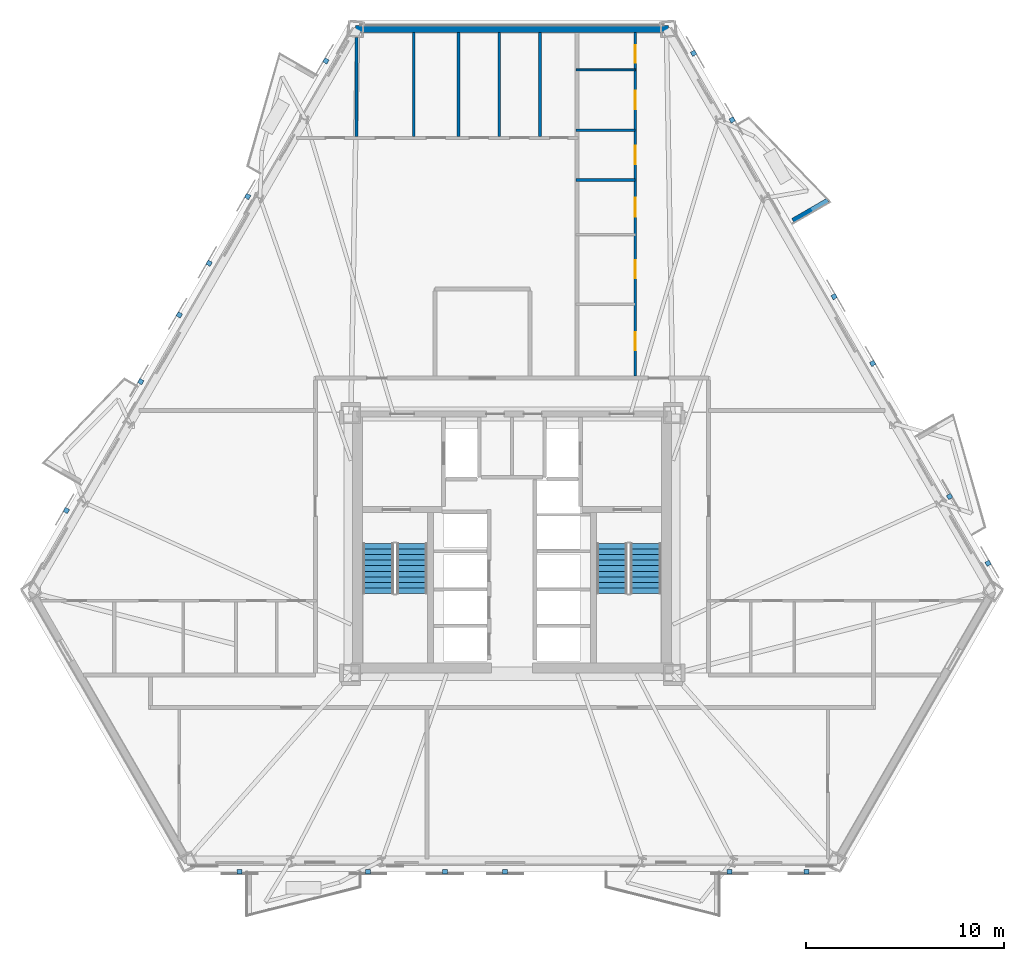
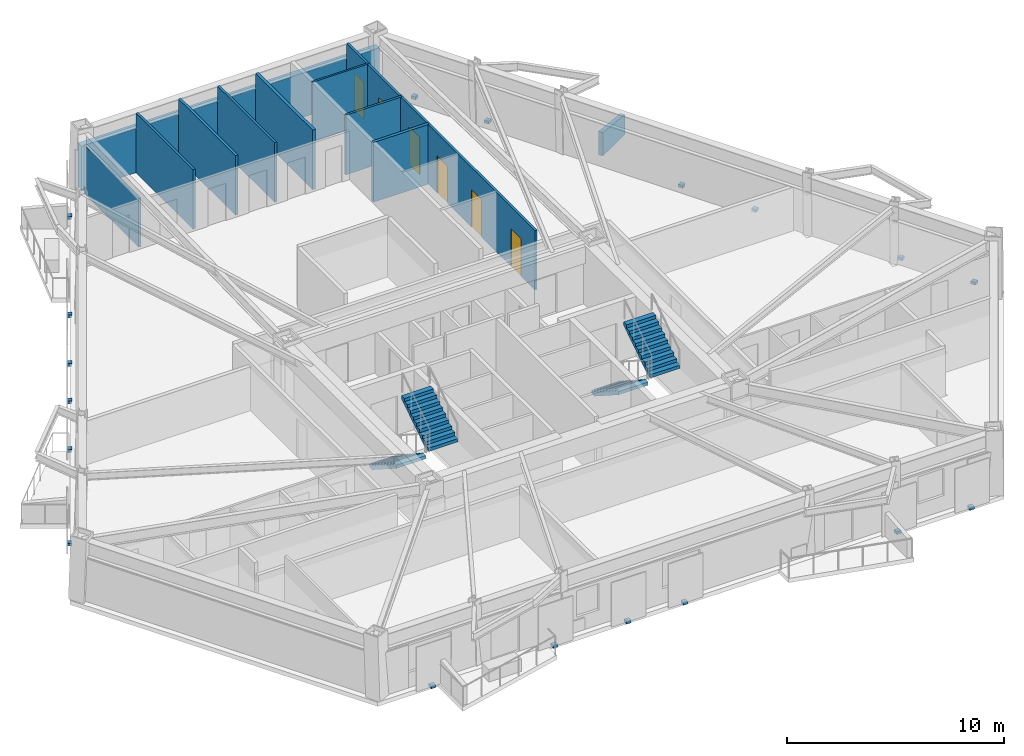
# One storey, part 6 of 12: 18 discrete accessories, 11 walls, 6 doors, 4 stair flights, 6 openings, 2 elements without a shape of their own.
"""IFC4 building model written with IfcOpenShell, lengths in metres."""

import ifcopenshell
import ifcopenshell.guid

model = None  # the IFC model being written
_history = None  # IfcOwnerHistory: only IFC2X3 demands one
_inside = {}  # id of a spatial element -> (the spatial element, [elements in it])
_under = {}  # id of a project, library or spatial element -> (it, [spatial elements below it])
_declared = {}  # id of a project -> (the project, [libraries it declares])
_typed = {}  # id of a type object -> (the type object, [elements of that type])
_made_of = {}  # id of a material, layer set ... -> (it, [elements and type objects made of it])


def new_model(schema):
    """Start an empty IFC model of exactly this schema.

    Asked for "IFC4X3", IfcOpenShell would pick the latest addendum, in which some entities
    have other attributes; the version numbers below select the first issue.
    IFC2X3 requires an IfcOwnerHistory on every rooted entity: one is made here for all.
    """
    global model, _history
    if schema == "IFC4X3":
        model = ifcopenshell.file(schema_version=(4, 3, 0, 0))
    else:
        model = ifcopenshell.file(schema=schema)
    _inside.clear()
    _under.clear()
    _declared.clear()
    _typed.clear()
    _made_of.clear()
    _history = None
    if model.schema == "IFC2X3":
        org = make("IfcOrganization", Name="unknown")
        user = make(
            "IfcPersonAndOrganization",
            ThePerson=make("IfcPerson", FamilyName="unknown"),
            TheOrganization=org,
        )
        app = make(
            "IfcApplication",
            ApplicationDeveloper=org,
            Version="unknown",
            ApplicationFullName="unknown",
            ApplicationIdentifier="unknown",
        )
        _history = make(
            "IfcOwnerHistory",
            OwningUser=user,
            OwningApplication=app,
            ChangeAction="ADDED",
            CreationDate=0,
        )
    return model


def make(cls, **values):
    """One entity of the class cls with the attributes given. An attribute that is None is left unset."""
    return model.create_entity(
        cls, **{name: value for name, value in values.items() if value is not None}
    )


def rooted(cls, **values):
    """An entity with a GlobalId (a new one), such as an element, a storey or a relation."""
    return make(cls, GlobalId=ifcopenshell.guid.new(), OwnerHistory=_history, **values)


def si_unit(unit_type, name, prefix=None):
    """IfcSIUnit, for example si_unit("LENGTHUNIT", "METRE", prefix="MILLI")."""
    return make("IfcSIUnit", UnitType=unit_type, Prefix=prefix, Name=name)


def assignment(units):
    """IfcUnitAssignment: the units of a project."""
    return None if units is None else make("IfcUnitAssignment", Units=units)


def point(xyz):
    """IfcCartesianPoint."""
    return None if xyz is None else make("IfcCartesianPoint", Coordinates=xyz)


def direction(xyz):
    """IfcDirection."""
    return None if xyz is None else make("IfcDirection", DirectionRatios=xyz)


def frame(location, z_axis=None, x_axis=None):
    """IfcAxis2Placement3D, a coordinate frame: its origin and axes. An axis left out is left unset."""
    return make(
        "IfcAxis2Placement3D",
        Location=point(location),
        Axis=direction(z_axis),
        RefDirection=direction(x_axis),
    )


def frame_2d(location, x_axis=None):
    """IfcAxis2Placement2D, a coordinate frame in the plane: its origin and x axis."""
    return make(
        "IfcAxis2Placement2D", Location=point(location), RefDirection=direction(x_axis)
    )


def origin():
    """The frame at (0, 0, 0) with its axes left unset."""
    return frame((0.0, 0.0, 0.0))


def origin_2d():
    """The frame at (0, 0) in the plane with its x axis left unset."""
    return frame_2d((0.0, 0.0))


def place(relative_to, where):
    """IfcLocalPlacement: puts the frame where relative to a parent placement (None: the world)."""
    return make(
        "IfcLocalPlacement", PlacementRelTo=relative_to, RelativePlacement=where
    )


def context(
    kind, dimensions, precision=None, world=None, true_north=None, identifier=None
):
    """IfcGeometricRepresentationContext, for example the 3D "Model" context."""
    return make(
        "IfcGeometricRepresentationContext",
        ContextIdentifier=identifier,
        ContextType=kind,
        CoordinateSpaceDimension=dimensions,
        Precision=precision,
        WorldCoordinateSystem=world,
        TrueNorth=true_north,
    )


def subcontext(parent, identifier, kind, view, scale=None):
    """IfcGeometricRepresentationSubContext, for example "Body" below "Model"."""
    return make(
        "IfcGeometricRepresentationSubContext",
        ContextIdentifier=identifier,
        ContextType=kind,
        ParentContext=parent,
        TargetScale=scale,
        TargetView=view,
    )


def project(units=None, contexts=None):
    """IfcProject with its units and contexts."""
    return rooted(
        "IfcProject",
        Name="project",
        RepresentationContexts=contexts,
        UnitsInContext=assignment(units),
    )


def spatial(cls, under=None, at=None, **own):
    """A site, building, storey or space (cls), placed at a placement, below another one or the project."""
    s = rooted(cls, ObjectPlacement=at, **own)
    if under is not None:
        _under.setdefault(under.id(), (under, []))[1].append(s)
    return s


def polyline(points):
    """IfcPolyline through the points."""
    return make("IfcPolyline", Points=[point(p) for p in points])


def profile(cls, at=None, kind="AREA", **sizes):
    """A parametric profile (cls). Its sizes go by their IFC names, for example OverallWidth=200.0."""
    return make(cls, ProfileType=kind, Position=at, **sizes)


def rectangle(**sizes):
    """IfcRectangleProfileDef."""
    return profile("IfcRectangleProfileDef", **sizes)


def outline(outer, holes=None, kind="AREA"):
    """IfcArbitraryClosedProfileDef: a profile drawn as a closed curve; with holes, ...WithVoids."""
    if holes is None:
        return make("IfcArbitraryClosedProfileDef", ProfileType=kind, OuterCurve=outer)
    return make(
        "IfcArbitraryProfileDefWithVoids",
        ProfileType=kind,
        OuterCurve=outer,
        InnerCurves=holes,
    )


def extrude(swept, where, along, depth):
    """IfcExtrudedAreaSolid: the profile swept, set in the frame where, extruded along a direction by depth."""
    return make(
        "IfcExtrudedAreaSolid",
        SweptArea=swept,
        Position=where,
        ExtrudedDirection=direction(along),
        Depth=depth,
    )


def shape(context_of_items, identifier, shape_type, items):
    """IfcShapeRepresentation: the items that make up one representation, for example the "Body"."""
    return make(
        "IfcShapeRepresentation",
        ContextOfItems=context_of_items,
        RepresentationIdentifier=identifier,
        RepresentationType=shape_type,
        Items=items,
    )


def material(Name=None, Category=None):
    """IfcMaterial."""
    return make("IfcMaterial", Name=Name, Category=Category)


def layer(
    of_material, thickness, ventilated=None, Name=None, Category=None, Priority=None
):
    """IfcMaterialLayer: one layer of a wall or slab, of a material (None: an air gap)."""
    return make(
        "IfcMaterialLayer",
        Material=of_material,
        LayerThickness=thickness,
        IsVentilated=ventilated,
        Name=Name,
        Category=Category,
        Priority=Priority,
    )


def layer_set(layers, Name=None):
    """IfcMaterialLayerSet."""
    return make("IfcMaterialLayerSet", MaterialLayers=layers, LayerSetName=Name)


def made_of(thing, what):
    """Note that an element or type object is made of a material, layer set ...; save() writes the relation."""
    if what is not None:
        _made_of.setdefault(what.id(), (what, []))[1].append(thing)
    return thing


def type_object(cls, material=None, **own):
    """A type object (cls), such as IfcWallType, which elements share."""
    return made_of(rooted(cls, **own), material)


def element(
    cls,
    number,
    at=None,
    inside=None,
    cuts=None,
    type_object=None,
    material=None,
    context=None,
    identifier="Body",
    shape_type=None,
    held_by="IfcProductDefinitionShape",
    body=None,
    shapes=None,
    **own,
):
    """One element of the class cls, such as IfcWall. Its Tag is "e" and its number.

    at: its placement. inside: the storey or other place that contains it. cuts: it is an
    opening in that element (IfcRelVoidsElement). A single representation is given by context,
    identifier, shape_type and body (its items); several are given by shapes. held_by: the class
    of the entity that holds the representations. save() writes the other relations.
    """
    e = rooted(cls, Tag="e%d" % number, ObjectPlacement=at, **own)
    if body is not None:
        shapes = [shape(context, identifier, shape_type, body)]
    if shapes is not None:
        e.Representation = make(held_by, Representations=shapes)
    if inside is not None:
        _inside.setdefault(inside.id(), (inside, []))[1].append(e)
    if cuts is not None:
        rooted(
            "IfcRelVoidsElement", RelatingBuildingElement=cuts, RelatedOpeningElement=e
        )
    if type_object is not None:
        _typed.setdefault(type_object.id(), (type_object, []))[1].append(e)
    return made_of(e, material)


def fill(opening, filler):
    """IfcRelFillsElement: the door or window that sits in an opening."""
    return rooted(
        "IfcRelFillsElement",
        RelatingOpeningElement=opening,
        RelatedBuildingElement=filler,
    )


def aggregate(whole, parts):
    """IfcRelAggregates: a whole, such as a stair, and the parts it consists of."""
    return rooted("IfcRelAggregates", RelatingObject=whole, RelatedObjects=parts)


def save(model, path):
    """Write the relations noted so far, then the file.

    IfcRelAggregates (storeys below a building ...), IfcRelContainedInSpatialStructure (elements
    in a storey), IfcRelDefinesByType, IfcRelAssociatesMaterial and IfcRelDeclares: one each for
    every whole, place, type object, material and project.
    """
    for whole, parts in _under.values():
        aggregate(whole, parts)
    for where, things in _inside.values():
        rooted(
            "IfcRelContainedInSpatialStructure",
            RelatedElements=things,
            RelatingStructure=where,
        )
    for kind, things in _typed.values():
        rooted("IfcRelDefinesByType", RelatedObjects=things, RelatingType=kind)
    for what, things in _made_of.values():
        rooted("IfcRelAssociatesMaterial", RelatedObjects=things, RelatingMaterial=what)
    for by, libraries in _declared.values():
        rooted("IfcRelDeclares", RelatingContext=by, RelatedDefinitions=libraries)
    model.write(path)


model = new_model("IFC4")

# Units and contexts
model_context = context("Model", 3, precision=1e-05, world=origin(), true_north=direction((0.0, 1.0)))
body_context = subcontext(model_context, "Body", "Model", "MODEL_VIEW")
ifc_project = project(units=[si_unit("LENGTHUNIT", "METRE"), si_unit("AREAUNIT", "SQUARE_METRE"), si_unit("VOLUMEUNIT", "CUBIC_METRE"), si_unit("PLANEANGLEUNIT", "RADIAN"), si_unit("MASSUNIT", "GRAM", prefix="KILO")], contexts=[model_context])

# Site, building, storey
site_placement = place(None, origin())
site = spatial("IfcSite", under=ifc_project, at=site_placement, CompositionType="ELEMENT")
building_placement = place(site_placement, origin())
building = spatial("IfcBuilding", under=site, at=building_placement, Name="Oramaril Tower", CompositionType="ELEMENT")
storey_placement = place(building_placement, frame((0.0, 0.0, 30.89990234375)))
storey = spatial("IfcBuildingStorey", under=building, at=storey_placement, Name="L07", CompositionType="ELEMENT", Elevation=30.89990234375)

# Walls
ifc_material_1 = material(Name="Warm Cream Limestone", Category="masonry")
ifc_layer_1 = layer(ifc_material_1, 0.340087890625)
ifc_layer_set_1 = layer_set([ifc_layer_1], Name="WT-EXT34")
wall_type_1 = type_object("IfcWallType", Name="WT-EXT34", PredefinedType="SOLIDWALL", material=ifc_layer_set_1)
wall_1_placement = place(storey_placement, frame((45.431640625, 43.630615234375, 0.0), z_axis=(0.0, 0.0, 1.0), x_axis=(-1.0, 0.0, 0.0)))
element("IfcWall", 1, at=wall_1_placement, inside=storey, type_object=wall_type_1, Name="L07 Tower Limestone Facade Wall 5M", PredefinedType="SOLIDWALL", context=body_context, shape_type="SweptSolid", body=[
    extrude(rectangle(XDim=15.86328125, YDim=0.340087890625, at=frame_2d((7.931640625, 0.0))), origin(), (0.0, 0.0, 1.0), 2.494140625),
])
ifc_material_2 = material(Name="Concrete C40/50", Category="concrete")
ifc_layer_2 = layer(ifc_material_2, 0.22998046875)
ifc_layer_set_2 = layer_set([ifc_layer_2], Name="WT-PRP23")
wall_type_2 = type_object("IfcWallType", Name="WT-PRP23", PredefinedType="PARAPET", material=ifc_layer_set_2)
wall_2_placement = place(storey_placement, frame((51.714111328125, 33.94482421875, 0.0), z_axis=(0.0, 0.0, 1.0), x_axis=(0.866042246008, 0.499970827278, 0.0)))
element("IfcWall", 2, at=wall_2_placement, inside=storey, type_object=wall_type_2, Name="L07 Trapezoidal Balcony Frame Cheek L07-BAL-NE2-L", PredefinedType="PARAPET", context=body_context, shape_type="SweptSolid", body=[
    extrude(outline(polyline([(0.0, 0.0), (2.0419921875, 0.0), (2.0419921875, 1.10009765625), (0.0, 1.320068359375), (0.0, 0.0)])), frame((0.0, 0.114990234375, 0.0), z_axis=(0.0, -1.0, 0.0), x_axis=(1.0, 0.0, 0.0)), (0.0, 0.0, 1.0), 0.22998046875),
])
ifc_material_3 = material(Name="Acoustic Gypsum Board Partition")
ifc_layer_3 = layer(ifc_material_3, 0.10009765625)
ifc_layer_set_3 = layer_set([ifc_layer_3], Name="WT-PT10")
wall_type_3 = type_object("IfcWallType", Name="WT-PT10", PredefinedType="PARTITIONING", material=ifc_layer_set_3)
wall_3_placement = place(storey_placement, frame((40.75, 41.570068359375, 0.0), z_axis=(0.0, 0.0, 1.0), x_axis=(1.0, 0.0, 0.0)))
element("IfcWall", 3, at=wall_3_placement, inside=storey, type_object=wall_type_3, Name="L07 Interior Partition PT-10", PredefinedType="PARTITIONING", context=body_context, shape_type="SweptSolid", body=[
    extrude(rectangle(XDim=2.97998046875, YDim=0.10009765625, at=frame_2d((1.489990234375, 0.0))), origin(), (0.0, 0.0, 1.0), 3.360107421875),
])
ifc_material_4 = material(Name="Acoustic Gypsum Board Partition")
ifc_layer_4 = layer(ifc_material_4, 0.1201171875)
ifc_layer_set_4 = layer_set([ifc_layer_4], Name="WT-PT12")
wall_type_4 = type_object("IfcWallType", Name="WT-PT12", PredefinedType="PARTITIONING", material=ifc_layer_set_4)
wall_4_placement = place(storey_placement, frame((40.75, 38.52001953125, 0.0), z_axis=(0.0, 0.0, 1.0), x_axis=(1.0, 0.0, 0.0)))
element("IfcWall", 4, at=wall_4_placement, inside=storey, type_object=wall_type_4, Name="L07 Interior Partition PT-12", PredefinedType="PARTITIONING", context=body_context, shape_type="SweptSolid", body=[
    extrude(rectangle(XDim=2.97998046875, YDim=0.1201171875, at=frame_2d((1.489990234375, 0.0))), origin(), (0.0, 0.0, 1.0), 3.360107421875),
])
for number, where, z_axis, x_axis, name in (
    (5, (32.52001953125, 38.194091796875, 0.0), (0.0, 0.0, 1.0), (0.0, 1.0, 0.0), "L07 Interior Partition PT-12"),
    (6, (36.860107421875, 38.194091796875, 0.0), (0.0, 0.0, 1.0), (0.0, 1.0, 0.0), "L07 Interior Partition PT-12"),
):
    element("IfcWall", number, at=place(storey_placement, frame(where, z_axis=z_axis, x_axis=x_axis)), inside=storey, type_object=wall_type_4, Name=name, PredefinedType="PARTITIONING", context=body_context, shape_type="SweptSolid", body=[
        extrude(rectangle(XDim=5.262451171875, YDim=0.1201171875, at=frame_2d((2.63134765625, 0.0))), origin(), (0.0, 0.0, 1.0), 3.360107421875),
    ])

# Wall, openings, doors
wall_5_placement = place(storey_placement, frame((43.72998046875, 26.073974609375, 0.0), z_axis=(0.0, 0.0, 1.0), x_axis=(0.0, 1.0, 0.0)))
wall_5 = element("IfcWall", 7, at=wall_5_placement, inside=storey, type_object=wall_type_4, Name="L07 Interior Partition PT-12", PredefinedType="PARTITIONING", context=body_context, shape_type="SweptSolid", body=[
    extrude(rectangle(XDim=17.382568359375, YDim=0.1201171875, at=frame_2d((8.69140625, 0.0))), origin(), (0.0, 0.0, 1.0), 3.360107421875),
])
opening_1_placement = place(wall_5_placement, frame((1.292236328125, 0.0, 0.0)))
opening_1 = element("IfcOpeningElement", 8, at=opening_1_placement, cuts=wall_5, Name="Opening D-L07-23", PredefinedType="OPENING", context=body_context, shape_type="SweptSolid", body=[
    extrude(rectangle(XDim=0.919921875, YDim=2.1201171875, at=frame_2d((0.4599609375, 1.06005859375))), frame((0.0, 0.06005859375, 0.0), z_axis=(0.0, -1.0, 0.0), x_axis=(1.0, 0.0, 0.0)), (0.0, 0.0, 1.0), 0.1201171875),
])
opening_2_placement = place(wall_5_placement, frame((4.939208984375, 0.0, 0.0)))
opening_2 = element("IfcOpeningElement", 9, at=opening_2_placement, cuts=wall_5, Name="Opening D-L07-24", PredefinedType="OPENING", context=body_context, shape_type="SweptSolid", body=[
    extrude(rectangle(XDim=0.919921875, YDim=2.1201171875, at=frame_2d((0.4599609375, 1.06005859375))), frame((0.0, 0.06005859375, 0.0), z_axis=(0.0, -1.0, 0.0), x_axis=(1.0, 0.0, 0.0)), (0.0, 0.0, 1.0), 0.1201171875),
])
opening_3_placement = place(wall_5_placement, frame((8.068115234375, 0.0, 0.0)))
opening_3 = element("IfcOpeningElement", 10, at=opening_3_placement, cuts=wall_5, Name="Opening D-L07-25", PredefinedType="OPENING", context=body_context, shape_type="SweptSolid", body=[
    extrude(rectangle(XDim=0.949951171875, YDim=2.10009765625, at=frame_2d((0.47509765625, 1.050048828125))), frame((0.0, 0.06005859375, 0.0), z_axis=(0.0, -1.0, 0.0), x_axis=(1.0, 0.0, 0.0)), (0.0, 0.0, 1.0), 0.1201171875),
])
opening_4_placement = place(wall_5_placement, frame((10.708984375, 0.0, 0.0)))
opening_4 = element("IfcOpeningElement", 11, at=opening_4_placement, cuts=wall_5, Name="Opening D-L07-26", PredefinedType="OPENING", context=body_context, shape_type="SweptSolid", body=[
    extrude(rectangle(XDim=0.949951171875, YDim=2.10009765625, at=frame_2d((0.47509765625, 1.050048828125))), frame((0.0, 0.06005859375, 0.0), z_axis=(0.0, -1.0, 0.0), x_axis=(1.0, 0.0, 0.0)), (0.0, 0.0, 1.0), 0.1201171875),
])
opening_5_placement = place(wall_5_placement, frame((13.491455078125, 0.0, 0.0)))
opening_5 = element("IfcOpeningElement", 12, at=opening_5_placement, cuts=wall_5, Name="Opening D-L07-27", PredefinedType="OPENING", context=body_context, shape_type="SweptSolid", body=[
    extrude(rectangle(XDim=0.949951171875, YDim=2.10009765625, at=frame_2d((0.47509765625, 1.050048828125))), frame((0.0, 0.06005859375, 0.0), z_axis=(0.0, -1.0, 0.0), x_axis=(1.0, 0.0, 0.0)), (0.0, 0.0, 1.0), 0.1201171875),
])
opening_6_placement = place(wall_5_placement, frame((15.84765625, 0.0, 0.0)))
opening_6 = element("IfcOpeningElement", 13, at=opening_6_placement, cuts=wall_5, Name="Opening D-L07-28", PredefinedType="OPENING", context=body_context, shape_type="SweptSolid", body=[
    extrude(rectangle(XDim=0.8798828125, YDim=2.080078125, at=frame_2d((0.43994140625, 1.0400390625))), frame((0.0, 0.06005859375, 0.0), z_axis=(0.0, -1.0, 0.0), x_axis=(1.0, 0.0, 0.0)), (0.0, 0.0, 1.0), 0.1201171875),
])
ifc_material_5 = material(Name="FSC Brazilian Freijo Hardwood", Category="wood")
door_type_1 = type_object("IfcDoorType", Name="DT-BATH", OperationType="NOTDEFINED", PredefinedType="DOOR", material=ifc_material_5)
door_1_placement = place(opening_6_placement, origin())
door_1 = element("IfcDoor", 14, at=door_1_placement, inside=storey, type_object=door_type_1, Name="L07 Flat L07-U6 Bathroom Door D-L07-28", OperationType="SINGLE_SWING_RIGHT", OverallHeight=2.080078125, OverallWidth=0.8798828125, PredefinedType="DOOR", context=body_context, shape_type="SweptSolid", body=[
    extrude(rectangle(XDim=0.8798828125, YDim=2.080078125, at=frame_2d((0.43994140625, 1.0400390625))), frame((0.0, 0.02490234375, 0.0), z_axis=(0.0, -1.0, 0.0), x_axis=(1.0, 0.0, 0.0)), (0.0, 0.0, 1.0), 0.050048828125),
])
fill(opening_6, door_1)
ifc_material_6 = material(Name="FSC Brazilian Freijo Hardwood", Category="wood")
door_type_2 = type_object("IfcDoorType", Name="DT-BED", OperationType="NOTDEFINED", PredefinedType="DOOR", material=ifc_material_6)
door_2_placement = place(opening_1_placement, origin())
door_2 = element("IfcDoor", 15, at=door_2_placement, inside=storey, type_object=door_type_2, Name="L07 Flat L07-U6 Master Bedroom Door D-L07-23", OperationType="SINGLE_SWING_LEFT", OverallHeight=2.1201171875, OverallWidth=0.919921875, PredefinedType="DOOR", context=body_context, shape_type="SweptSolid", body=[
    extrude(rectangle(XDim=0.919921875, YDim=2.1201171875, at=frame_2d((0.4599609375, 1.06005859375))), frame((0.0, 0.02490234375, 0.0), z_axis=(0.0, -1.0, 0.0), x_axis=(1.0, 0.0, 0.0)), (0.0, 0.0, 1.0), 0.050048828125),
])
fill(opening_1, door_2)
door_3_placement = place(opening_2_placement, origin())
door_3 = element("IfcDoor", 16, at=door_3_placement, inside=storey, type_object=door_type_2, Name="L07 Flat L07-U6 Bedroom 2 Door D-L07-24", OperationType="SINGLE_SWING_RIGHT", OverallHeight=2.1201171875, OverallWidth=0.919921875, PredefinedType="DOOR", context=body_context, shape_type="SweptSolid", body=[
    extrude(rectangle(XDim=0.919921875, YDim=2.1201171875, at=frame_2d((0.4599609375, 1.06005859375))), frame((0.0, 0.02490234375, 0.0), z_axis=(0.0, -1.0, 0.0), x_axis=(1.0, 0.0, 0.0)), (0.0, 0.0, 1.0), 0.050048828125),
])
fill(opening_2, door_3)
ifc_material_7 = material(Name="FSC Brazilian Freijo Hardwood", Category="wood")
door_type_3 = type_object("IfcDoorType", Name="DT-STDY", OperationType="NOTDEFINED", PredefinedType="DOOR", material=ifc_material_7)
door_4_placement = place(opening_3_placement, origin())
door_4 = element("IfcDoor", 17, at=door_4_placement, inside=storey, type_object=door_type_3, Name="L07 Flat L07-U6 Reading Study Door D-L07-25", OperationType="SINGLE_SWING_LEFT", OverallHeight=2.10009765625, OverallWidth=0.949951171875, PredefinedType="DOOR", context=body_context, shape_type="SweptSolid", body=[
    extrude(rectangle(XDim=0.949951171875, YDim=2.10009765625, at=frame_2d((0.47509765625, 1.050048828125))), frame((0.0, 0.02490234375, 0.0), z_axis=(0.0, -1.0, 0.0), x_axis=(1.0, 0.0, 0.0)), (0.0, 0.0, 1.0), 0.050048828125),
])
fill(opening_3, door_4)
door_5_placement = place(opening_4_placement, origin())
door_5 = element("IfcDoor", 18, at=door_5_placement, inside=storey, type_object=door_type_3, Name="L07 Flat L07-U6 Private Dining Room Door D-L07-26", OperationType="SINGLE_SWING_RIGHT", OverallHeight=2.10009765625, OverallWidth=0.949951171875, PredefinedType="DOOR", context=body_context, shape_type="SweptSolid", body=[
    extrude(rectangle(XDim=0.949951171875, YDim=2.10009765625, at=frame_2d((0.47509765625, 1.050048828125))), frame((0.0, 0.02490234375, 0.0), z_axis=(0.0, -1.0, 0.0), x_axis=(1.0, 0.0, 0.0)), (0.0, 0.0, 1.0), 0.050048828125),
])
fill(opening_4, door_5)
door_6_placement = place(opening_5_placement, origin())
door_6 = element("IfcDoor", 19, at=door_6_placement, inside=storey, type_object=door_type_3, Name="L07 Flat L07-U6 Kitchen Door D-L07-27", OperationType="SINGLE_SWING_LEFT", OverallHeight=2.10009765625, OverallWidth=0.949951171875, PredefinedType="DOOR", context=body_context, shape_type="SweptSolid", body=[
    extrude(rectangle(XDim=0.949951171875, YDim=2.10009765625, at=frame_2d((0.47509765625, 1.050048828125))), frame((0.0, 0.02490234375, 0.0), z_axis=(0.0, -1.0, 0.0), x_axis=(1.0, 0.0, 0.0)), (0.0, 0.0, 1.0), 0.050048828125),
])
fill(opening_5, door_6)

# Walls
ifc_material_8 = material(Name="Acoustic Gypsum Board Partition")
ifc_layer_5 = layer(ifc_material_8, 0.139892578125)
ifc_layer_set_5 = layer_set([ifc_layer_5], Name="WT-PT14")
wall_type_5 = type_object("IfcWallType", Name="WT-PT14", PredefinedType="PARTITIONING", material=ifc_layer_set_5)
wall_6_placement = place(storey_placement, frame((29.6298828125, 38.194091796875, 0.0), z_axis=(0.0, 0.0, 1.0), x_axis=(0.0, 1.0, 0.0)))
element("IfcWall", 20, at=wall_6_placement, inside=storey, type_object=wall_type_5, Name="L07 Interior Partition PT-14", PredefinedType="PARTITIONING", context=body_context, shape_type="SweptSolid", body=[
    extrude(rectangle(XDim=5.016845703125, YDim=0.139892578125, at=frame_2d((2.50830078125, 0.0))), origin(), (0.0, 0.0, 1.0), 2.738037109375),
])
wall_7_placement = place(storey_placement, frame((34.7900390625, 38.194091796875, 0.0), z_axis=(0.0, 0.0, 1.0), x_axis=(0.0, 1.0, 0.0)))
element("IfcWall", 21, at=wall_7_placement, inside=storey, type_object=wall_type_5, Name="L07 Interior Partition PT-14", PredefinedType="PARTITIONING", context=body_context, shape_type="SweptSolid", body=[
    extrude(rectangle(XDim=5.262451171875, YDim=0.139892578125, at=frame_2d((2.63134765625, 0.0))), origin(), (0.0, 0.0, 1.0), 3.360107421875),
])
ifc_material_9 = material(Name="Acoustic Gypsum Board Partition")
ifc_layer_6 = layer(ifc_material_9, 0.159912109375)
ifc_layer_set_6 = layer_set([ifc_layer_6], Name="WT-PT16")
wall_type_6 = type_object("IfcWallType", Name="WT-PT16", PredefinedType="PARTITIONING", material=ifc_layer_set_6)
wall_8_placement = place(storey_placement, frame((40.75, 36.0, 0.0), z_axis=(0.0, 0.0, 1.0), x_axis=(1.0, 0.0, 0.0)))
element("IfcWall", 22, at=wall_8_placement, inside=storey, type_object=wall_type_6, Name="L07 Interior Partition PT-16", PredefinedType="PARTITIONING", context=body_context, shape_type="SweptSolid", body=[
    extrude(rectangle(XDim=2.97998046875, YDim=0.159912109375, at=frame_2d((1.489990234375, 0.0))), origin(), (0.0, 0.0, 1.0), 3.360107421875),
])
wall_9_placement = place(storey_placement, frame((38.909912109375, 38.194091796875, 0.0), z_axis=(0.0, 0.0, 1.0), x_axis=(0.0, 1.0, 0.0)))
element("IfcWall", 23, at=wall_9_placement, inside=storey, type_object=wall_type_6, Name="L07 Interior Partition PT-16", PredefinedType="PARTITIONING", context=body_context, shape_type="SweptSolid", body=[
    extrude(rectangle(XDim=5.262451171875, YDim=0.159912109375, at=frame_2d((2.63134765625, 0.0))), origin(), (0.0, 0.0, 1.0), 3.360107421875),
])

# Stair, stair flights
ifc_material_10 = material(Name="Concrete C50/60", Category="concrete")
stair_type = type_object("IfcStairType", Name="STT-DG-3600", PredefinedType="HALF_TURN_STAIR", material=ifc_material_10)
stair_1_placement = place(storey_placement, origin())
stair_1 = element("IfcStair", 24, at=stair_1_placement, inside=storey, type_object=stair_type, Name="L07 Protected PFP Exit Stair ST-1", PredefinedType="HALF_TURN_STAIR")
ifc_material_11 = material(Name="Concrete C50/60", Category="concrete")
stair_flight_type = type_object("IfcStairFlightType", Name="SFT-DG-3600", PredefinedType="STRAIGHT", material=ifc_material_11)
stair_flight_1_placement = place(storey_placement, frame((30.72998046875, 17.590087890625, 0.0), z_axis=(0.0, 0.0, 1.0), x_axis=(0.0, -1.0, 0.0)))
stair_flight_1 = element("IfcStairFlight", 25, at=stair_flight_1_placement, type_object=stair_flight_type, Name="ST-1 flight 1", NumberOfRisers=10, NumberOfTreads=9, PredefinedType="STRAIGHT", RiserHeight=0.18, TreadLength=0.28, context=body_context, shape_type="SweptSolid", body=[
    extrude(outline(polyline([(0.0, 0.0), (0.0, 0.179931640625), (0.280029296875, 0.179931640625), (0.280029296875, 0.360107421875), (0.56005859375, 0.360107421875), (0.56005859375, 0.5400390625), (0.840087890625, 0.5400390625), (0.840087890625, 0.719970703125), (1.1201171875, 0.719970703125), (1.1201171875, 0.89990234375), (1.39990234375, 0.89990234375), (1.39990234375, 1.080078125), (1.679931640625, 1.080078125), (1.679931640625, 1.260009765625), (1.9599609375, 1.260009765625), (1.9599609375, 1.43994140625), (2.239990234375, 1.43994140625), (2.239990234375, 1.6201171875), (2.52001953125, 1.6201171875), (2.52001953125, 1.800048828125), (2.52001953125, 1.44189453125), (0.277099609375, 0.0), (0.0, 0.0)])), frame((0.0, 0.780029296875, 0.0), z_axis=(0.0, -1.0, 0.0), x_axis=(1.0, 0.0, 0.0)), (0.0, 0.0, 1.0), 1.56005859375),
])
stair_flight_2_placement = place(storey_placement, frame((32.43994140625, 15.070068359375, 1.800048828125), z_axis=(0.0, 0.0, 1.0), x_axis=(0.0, 1.0, 0.0)))
stair_flight_2 = element("IfcStairFlight", 26, at=stair_flight_2_placement, type_object=stair_flight_type, Name="ST-1 flight 2", NumberOfRisers=10, NumberOfTreads=9, PredefinedType="STRAIGHT", RiserHeight=0.18, TreadLength=0.28, context=body_context, shape_type="SweptSolid", body=[
    extrude(outline(polyline([(0.0, 0.0), (0.0, 0.179931640625), (0.280029296875, 0.179931640625), (0.280029296875, 0.360107421875), (0.56005859375, 0.360107421875), (0.56005859375, 0.5400390625), (0.840087890625, 0.5400390625), (0.840087890625, 0.719970703125), (1.1201171875, 0.719970703125), (1.1201171875, 0.89990234375), (1.39990234375, 0.89990234375), (1.39990234375, 1.080078125), (1.679931640625, 1.080078125), (1.679931640625, 1.260009765625), (1.9599609375, 1.260009765625), (1.9599609375, 1.43994140625), (2.239990234375, 1.43994140625), (2.239990234375, 1.6201171875), (2.52001953125, 1.6201171875), (2.52001953125, 1.800048828125), (2.52001953125, 1.44189453125), (0.277099609375, 0.0), (0.0, 0.0)])), frame((0.0, 0.780029296875, 0.0), z_axis=(0.0, -1.0, 0.0), x_axis=(1.0, 0.0, 0.0)), (0.0, 0.0, 1.0), 1.56005859375),
])
aggregate(stair_1, [stair_flight_1, stair_flight_2])

stair_2_placement = place(storey_placement, origin())
stair_2 = element("IfcStair", 27, at=stair_2_placement, inside=storey, type_object=stair_type, Name="L07 Protected PFP Exit Stair ST-2", PredefinedType="HALF_TURN_STAIR")
stair_flight_3_placement = place(storey_placement, frame((42.56005859375, 17.590087890625, 0.0), z_axis=(0.0, 0.0, 1.0), x_axis=(0.0, -1.0, 0.0)))
stair_flight_3 = element("IfcStairFlight", 28, at=stair_flight_3_placement, type_object=stair_flight_type, Name="ST-2 flight 1", NumberOfRisers=10, NumberOfTreads=9, PredefinedType="STRAIGHT", RiserHeight=0.18, TreadLength=0.28, context=body_context, shape_type="SweptSolid", body=[
    extrude(outline(polyline([(0.0, 0.0), (0.0, 0.179931640625), (0.280029296875, 0.179931640625), (0.280029296875, 0.360107421875), (0.56005859375, 0.360107421875), (0.56005859375, 0.5400390625), (0.840087890625, 0.5400390625), (0.840087890625, 0.719970703125), (1.1201171875, 0.719970703125), (1.1201171875, 0.89990234375), (1.39990234375, 0.89990234375), (1.39990234375, 1.080078125), (1.679931640625, 1.080078125), (1.679931640625, 1.260009765625), (1.9599609375, 1.260009765625), (1.9599609375, 1.43994140625), (2.239990234375, 1.43994140625), (2.239990234375, 1.6201171875), (2.52001953125, 1.6201171875), (2.52001953125, 1.800048828125), (2.52001953125, 1.44189453125), (0.277099609375, 0.0), (0.0, 0.0)])), frame((0.0, 0.780029296875, 0.0), z_axis=(0.0, -1.0, 0.0), x_axis=(1.0, 0.0, 0.0)), (0.0, 0.0, 1.0), 1.56005859375),
])
stair_flight_4_placement = place(storey_placement, frame((44.27001953125, 15.070068359375, 1.800048828125), z_axis=(0.0, 0.0, 1.0), x_axis=(0.0, 1.0, 0.0)))
stair_flight_4 = element("IfcStairFlight", 29, at=stair_flight_4_placement, type_object=stair_flight_type, Name="ST-2 flight 2", NumberOfRisers=10, NumberOfTreads=9, PredefinedType="STRAIGHT", RiserHeight=0.18, TreadLength=0.28, context=body_context, shape_type="SweptSolid", body=[
    extrude(outline(polyline([(0.0, 0.0), (0.0, 0.179931640625), (0.280029296875, 0.179931640625), (0.280029296875, 0.360107421875), (0.56005859375, 0.360107421875), (0.56005859375, 0.5400390625), (0.840087890625, 0.5400390625), (0.840087890625, 0.719970703125), (1.1201171875, 0.719970703125), (1.1201171875, 0.89990234375), (1.39990234375, 0.89990234375), (1.39990234375, 1.080078125), (1.679931640625, 1.080078125), (1.679931640625, 1.260009765625), (1.9599609375, 1.260009765625), (1.9599609375, 1.43994140625), (2.239990234375, 1.43994140625), (2.239990234375, 1.6201171875), (2.52001953125, 1.6201171875), (2.52001953125, 1.800048828125), (2.52001953125, 1.44189453125), (0.277099609375, 0.0), (0.0, 0.0)])), frame((0.0, 0.780029296875, 0.0), z_axis=(0.0, -1.0, 0.0), x_axis=(1.0, 0.0, 0.0)), (0.0, 0.0, 1.0), 1.56005859375),
])
aggregate(stair_2, [stair_flight_3, stair_flight_4])

# Discrete accessories
for number, where, z_axis, x_axis, name in (
    (30, (23.714599609375, 0.985595703125, -0.1396484375), (0.0, 0.0, 1.0), (1.0, 0.0, 0.0), "L07 Solar Screen Slab Bracket"),
    (31, (30.214599609375, 0.985595703125, -0.1396484375), (0.0, 0.0, 1.0), (1.0, 0.0, 0.0), "L07 Solar Screen Slab Bracket"),
    (32, (34.114501953125, 0.985595703125, -0.1396484375), (0.0, 0.0, 1.0), (1.0, 0.0, 0.0), "L07 Solar Screen Slab Bracket"),
    (33, (37.151611328125, 0.985595703125, -0.1396484375), (0.0, 0.0, 1.0), (1.0, 0.0, 0.0), "L07 Solar Screen Slab Bracket"),
    (34, (48.510498046875, 0.985595703125, -0.1396484375), (0.0, 0.0, 1.0), (1.0, 0.0, 0.0), "L07 Solar Screen Slab Bracket"),
    (35, (52.410400390625, 0.985595703125, -0.1396484375), (0.0, 0.0, 1.0), (1.0, 0.0, 0.0), "L07 Solar Screen Slab Bracket"),
    (36, (61.5947265625, 16.59521484375, -0.1396484375), (0.0, 0.0, 1.0), (-0.5, 0.866025403784, 0.0), "L07 Solar Screen Slab Bracket"),
    (37, (59.644775390625, 19.972900390625, -0.1396484375), (0.0, 0.0, 1.0), (-0.5, 0.866025403784, 0.0), "L07 Solar Screen Slab Bracket"),
    (38, (55.75390625, 26.7119140625, -0.1396484375), (0.0, 0.0, 1.0), (-0.5, 0.866025403784, 0.0), "L07 Solar Screen Slab Bracket"),
    (39, (53.803955078125, 30.08935546875, -0.1396484375), (0.0, 0.0, 1.0), (-0.5, 0.866025403784, 0.0), "L07 Solar Screen Slab Bracket"),
    (40, (48.64013671875, 39.033447265625, -0.1396484375), (0.0, 0.0, 1.0), (-0.5, 0.866025403784, 0.0), "L07 Solar Screen Slab Bracket"),
    (41, (46.690185546875, 42.410888671875, -0.1396484375), (0.0, 0.0, 1.0), (-0.5, 0.866025403784, 0.0), "L07 Solar Screen Slab Bracket"),
    (42, (14.94775390625, 19.26708984375, -0.1396484375), (0.0, 0.0, 1.0), (-0.5, -0.866025403784, 0.0), "L07 Solar Screen Slab Bracket"),
    (43, (24.122802734375, 35.15869140625, -0.1396484375), (0.0, 0.0, 1.0), (-0.5, -0.866025403784, 0.0), "L07 Solar Screen Slab Bracket"),
    (44, (22.1728515625, 31.78125, -0.1396484375), (0.0, 0.0, 1.0), (-0.5, -0.866025403784, 0.0), "L07 Solar Screen Slab Bracket"),
    (45, (20.66162109375, 29.163818359375, -0.1396484375), (0.0, 0.0, 1.0), (-0.5, -0.866025403784, 0.0), "L07 Solar Screen Slab Bracket"),
    (46, (18.711669921875, 25.7861328125, -0.1396484375), (0.0, 0.0, 1.0), (-0.5, -0.866025403784, 0.0), "L07 Solar Screen Slab Bracket"),
    (47, (28.08349609375, 42.0185546875, -0.1396484375), (0.0, 0.0, 1.0), (-0.5, -0.866025403784, 0.0), "L07 Solar Screen Slab Bracket"),
):
    element("IfcDiscreteAccessory", number, at=place(storey_placement, frame(where, z_axis=z_axis, x_axis=x_axis)), inside=storey, Name=name, PredefinedType="BRACKET", context=body_context, shape_type="SweptSolid", body=[
        extrude(rectangle(XDim=0.239990234375, YDim=0.239990234375, at=origin_2d()), origin(), (0.0, 0.0, 1.0), 0.159912109375),
    ])

save(model, "model.ifc")
